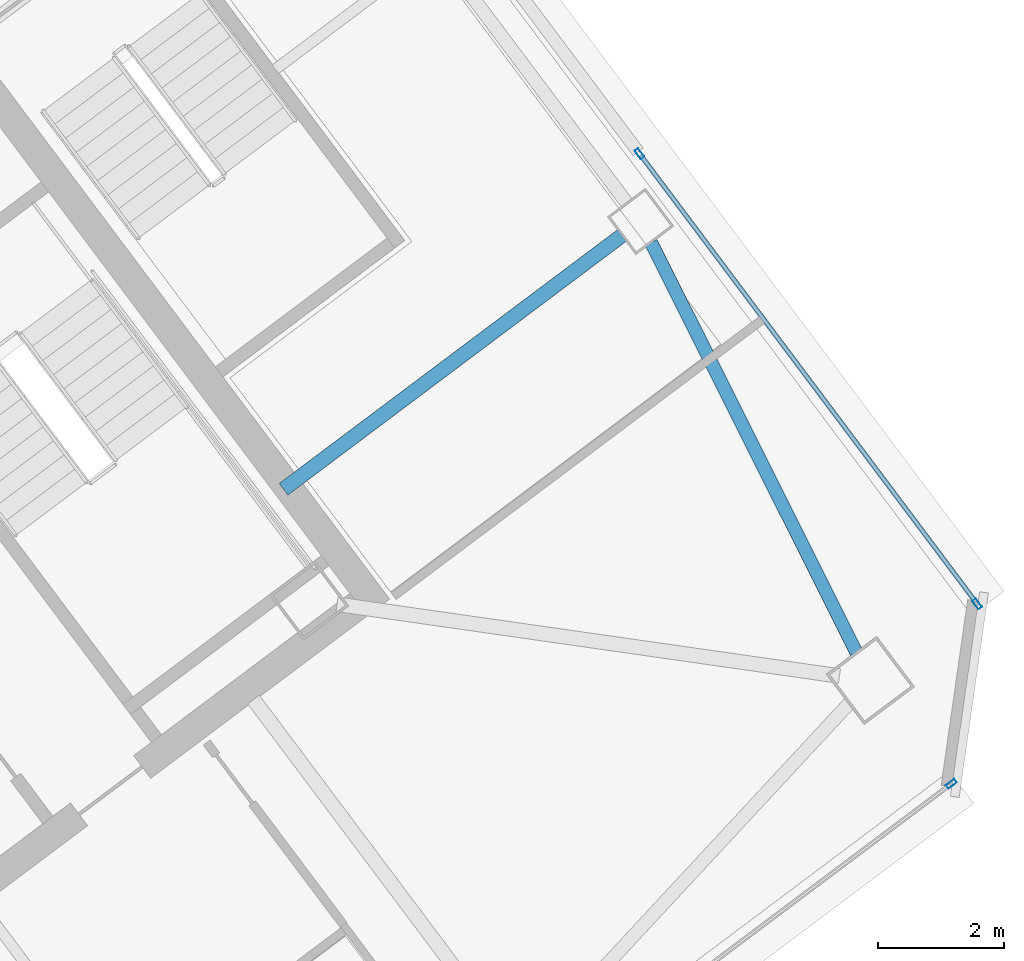
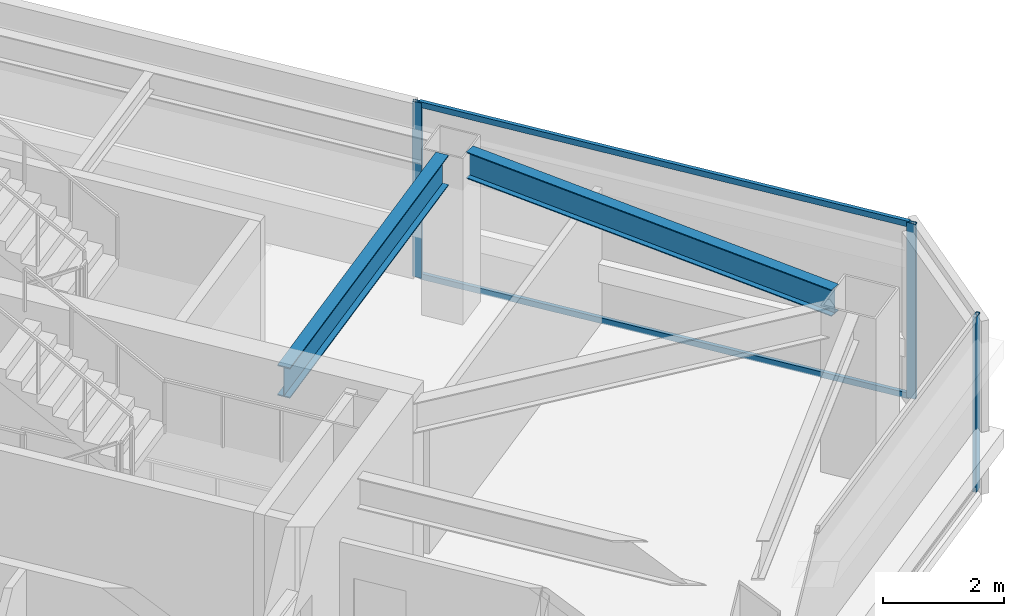
# One storey, part 24 of 39: 5 members, 2 beams, 2 elements without a shape of their own.
"""IFC4 building model written with IfcOpenShell, lengths in metres."""

from ifc_helpers import new_model, si_unit, direction, frame, origin, origin_2d, place, context, subcontext, project, spatial, hollow_rectangle, i_section, extrude, material, material_profile, profile_set, type_object, element, aggregate, save


model = new_model("IFC4")

# Units and contexts
model_context = context("Model", 3, precision=1e-05, world=origin(), true_north=direction((0.0, 1.0)))
body_context = subcontext(model_context, "Body", "Model", "MODEL_VIEW")
ifc_project = project(units=[si_unit("LENGTHUNIT", "METRE"), si_unit("AREAUNIT", "SQUARE_METRE"), si_unit("VOLUMEUNIT", "CUBIC_METRE"), si_unit("PLANEANGLEUNIT", "RADIAN"), si_unit("MASSUNIT", "GRAM", prefix="KILO")], contexts=[model_context])

# Site, building, storey
site_placement = place(None, origin())
site = spatial("IfcSite", under=ifc_project, at=site_placement, CompositionType="ELEMENT")
building_placement = place(site_placement, origin())
building = spatial("IfcBuilding", under=site, at=building_placement, Name="Tashvorn Skyway Center", CompositionType="ELEMENT")
storey_placement = place(building_placement, frame((0.0, 0.0, 207.75)))
storey = spatial("IfcBuildingStorey", under=building, at=storey_placement, Name="L56", CompositionType="ELEMENT", Elevation=207.75)

# Beams
ifc_material_1 = material(Name="Steel ASTM A992 Grade 50", Category="steel")
ifc_material_profile_1 = material_profile(ifc_material_1, i_section(OverallWidth=0.22998046875, OverallDepth=0.616943359375, WebThickness=0.01318359375, FlangeThickness=0.022216796875, at=origin_2d()), Name="W24X94")
ifc_profile_set_1 = profile_set([ifc_material_profile_1], Name="Steel ASTM A992 Grade 50")
beam_type_1 = type_object("IfcBeamType", Name="BM-BEAM-W24X94", PredefinedType="BEAM", material=ifc_profile_set_1)
beam_1_placement = place(storey_placement, frame((128.823974609375, 36.367919921875, 3.0615234375), z_axis=(-0.799991254452, -0.600011660554, 0.0), x_axis=(0.600011660554, -0.799991254452, 0.0)))
element("IfcBeam", 1, at=beam_1_placement, inside=storey, type_object=beam_type_1, Name="Tower 2 L56 Primary Floor Girder FC-E1", PredefinedType="BEAM", context=body_context, shape_type="SweptSolid", body=[
    extrude(i_section(OverallWidth=0.22998046875, OverallDepth=0.616943359375, WebThickness=0.01318359375, FlangeThickness=0.022216796875, at=origin_2d()), origin(), (0.0, 0.0, 1.0), 6.699951171875),
])
ifc_material_profile_2 = material_profile(ifc_material_1, i_section(OverallWidth=0.2109375, OverallDepth=0.5390625, WebThickness=0.01171875, FlangeThickness=0.018798828125, at=origin_2d()), Name="W21X73")
ifc_profile_set_2 = profile_set([ifc_material_profile_2], Name="Steel ASTM A992 Grade 50")
beam_type_2 = type_object("IfcBeamType", Name="BM-SPANDREL-W21X73", PredefinedType="SPANDREL", material=ifc_profile_set_2)
beam_2_placement = place(storey_placement, frame((132.538330078125, 29.7626953125, 3.1005859375), z_axis=(-0.447710870872, 0.894178380472, 0.0), x_axis=(-0.894178380472, -0.447710870872, 0.0)))
element("IfcBeam", 2, at=beam_2_placement, inside=storey, type_object=beam_type_2, Name="Tower 2 L56 Spandrel Beam 04", PredefinedType="SPANDREL", context=body_context, shape_type="SweptSolid", body=[
    extrude(i_section(OverallWidth=0.2109375, OverallDepth=0.5390625, WebThickness=0.01171875, FlangeThickness=0.018798828125, at=origin_2d()), origin(), (0.0, 0.0, 1.0), 7.26513671875),
])

# Curtain wall, member
ifc_material_2 = material(Name="Thermally broken bronze-anodized aluminium 6063-T6", Category="aluminium")
curtain_wall_type = type_object("IfcCurtainWallType", Name="CW-CW-Z5", PredefinedType="NOTDEFINED", material=ifc_material_2)
curtain_wall_1_placement = place(storey_placement, origin())
curtain_wall_1 = element("IfcCurtainWall", 3, at=curtain_wall_1_placement, inside=storey, type_object=curtain_wall_type, Name="Tower 2 L56 South Unitised Curtain Wall Glazing Group 1", PredefinedType="NOTDEFINED")
ifc_material_profile_3 = material_profile(ifc_material_2, hollow_rectangle(XDim=0.070068359375, YDim=0.1650390625, WallThickness=0.00390625, at=origin_2d()), Name="ALU-MULL-70x165")
ifc_profile_set_3 = profile_set([ifc_material_profile_3], Name="Thermally broken bronze-anodized aluminium 6063-T6")
member_type_1 = type_object("IfcMemberType", Name="CWM-CW-Z5", PredefinedType="MULLION", material=ifc_profile_set_3)
member_1_placement = place(storey_placement, frame((134.0439453125, 27.68310546875, 0.0), z_axis=(0.0, 0.0, 1.0), x_axis=(0.600001780418, -0.799998664683, 0.0)))
member_1 = element("IfcMember", 4, at=member_1_placement, type_object=member_type_1, Name="CW-Z5 mullion 1", PredefinedType="MULLION", context=body_context, shape_type="SweptSolid", body=[
    extrude(hollow_rectangle(XDim=0.070068359375, YDim=0.1650390625, WallThickness=0.00390625, at=origin_2d()), origin(), (0.0, 0.0, 1.0), 3.550048828125),
])
aggregate(curtain_wall_1, [member_1])

# Curtain wall, members
curtain_wall_2_placement = place(storey_placement, origin())
curtain_wall_2 = element("IfcCurtainWall", 5, at=curtain_wall_2_placement, inside=storey, type_object=curtain_wall_type, Name="Tower 2 L56 East Unitised Curtain Wall Glazing Group 2", PredefinedType="NOTDEFINED")
member_2_placement = place(storey_placement, frame((129.10107421875, 37.665283203125, 0.0), z_axis=(0.0, 0.0, 1.0), x_axis=(0.799998664683, 0.600001780418, 0.0)))
member_2 = element("IfcMember", 6, at=member_2_placement, type_object=member_type_1, Name="CW-Z5 mullion 1", PredefinedType="MULLION", context=body_context, shape_type="SweptSolid", body=[
    extrude(hollow_rectangle(XDim=0.070068359375, YDim=0.1650390625, WallThickness=0.00390625, at=origin_2d()), origin(), (0.0, 0.0, 1.0), 3.550048828125),
])
member_3_placement = place(storey_placement, frame((134.450927734375, 30.531982421875, 0.0), z_axis=(0.0, 0.0, 1.0), x_axis=(0.799998664683, 0.600001780418, 0.0)))
member_3 = element("IfcMember", 7, at=member_3_placement, type_object=member_type_1, Name="CW-Z5 mullion 2", PredefinedType="MULLION", context=body_context, shape_type="SweptSolid", body=[
    extrude(hollow_rectangle(XDim=0.070068359375, YDim=0.1650390625, WallThickness=0.00390625, at=origin_2d()), origin(), (0.0, 0.0, 1.0), 3.550048828125),
])
ifc_material_profile_4 = material_profile(ifc_material_2, hollow_rectangle(XDim=0.070068359375, YDim=0.114990234375, WallThickness=0.00390625, at=origin_2d()), Name="ALU-TRAN-70x115")
ifc_profile_set_4 = profile_set([ifc_material_profile_4], Name="Thermally broken bronze-anodized aluminium 6063-T6")
member_type_2 = type_object("IfcMemberType", Name="CWT-CW-Z5", PredefinedType="USERDEFINED", material=ifc_profile_set_4)
member_4_placement = place(storey_placement, frame((129.1220703125, 37.63720703125, 0.034912109375), z_axis=(0.6, -0.8, 0.0), x_axis=(0.8, 0.6, 0.0)))
member_4 = element("IfcMember", 8, at=member_4_placement, type_object=member_type_2, Name="CW-Z5 transom 1.1", ObjectType="TRANSOM", PredefinedType="USERDEFINED", context=body_context, shape_type="SweptSolid", body=[
    extrude(hollow_rectangle(XDim=0.070068359375, YDim=0.114990234375, WallThickness=0.00390625, at=origin_2d()), origin(), (0.0, 0.0, 1.0), 8.846435546875),
])
member_5_placement = place(storey_placement, frame((129.1220703125, 37.63720703125, 3.514892578125), z_axis=(0.6, -0.8, 0.0), x_axis=(0.8, 0.6, 0.0)))
member_5 = element("IfcMember", 9, at=member_5_placement, type_object=member_type_2, Name="CW-Z5 transom 1.2", ObjectType="TRANSOM", PredefinedType="USERDEFINED", context=body_context, shape_type="SweptSolid", body=[
    extrude(hollow_rectangle(XDim=0.070068359375, YDim=0.114990234375, WallThickness=0.00390625, at=origin_2d()), origin(), (0.0, 0.0, 1.0), 8.846435546875),
])
aggregate(curtain_wall_2, [member_2, member_3, member_4, member_5])

save(model, "model.ifc")
